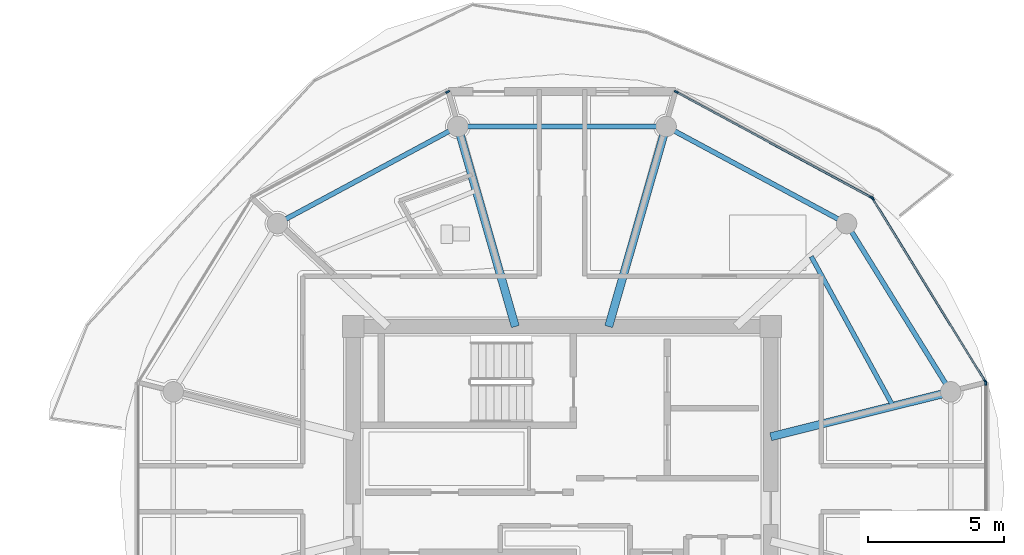
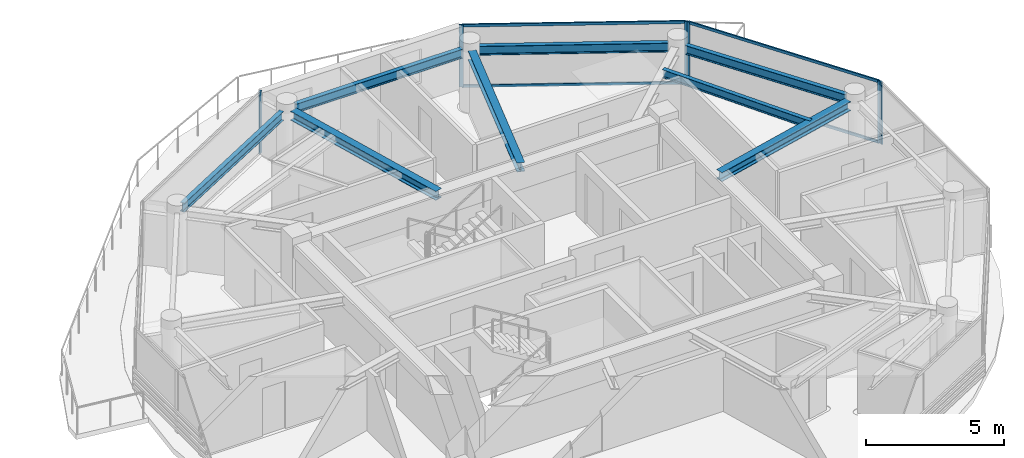
# One storey, part 7 of 21: 10 members, 8 beams, 4 elements without a shape of their own.
"""IFC4 building model written with IfcOpenShell, lengths in metres."""

from ifc_helpers import new_model, si_unit, direction, frame, origin, origin_2d, place, context, subcontext, project, spatial, rectangle, i_section, extrude, source, transform, mapped, material, layer, layer_set, material_profile, profile_set, type_object, type_shapes, element, aggregate, save


model = new_model("IFC4")

# Units and contexts
model_context = context("Model", 3, precision=1e-05, world=origin(), true_north=direction((0.0, 1.0)))
body_context = subcontext(model_context, "Body", "Model", "MODEL_VIEW")
ifc_project = project(units=[si_unit("LENGTHUNIT", "METRE"), si_unit("AREAUNIT", "SQUARE_METRE"), si_unit("VOLUMEUNIT", "CUBIC_METRE"), si_unit("PLANEANGLEUNIT", "RADIAN"), si_unit("MASSUNIT", "GRAM", prefix="KILO")], contexts=[model_context])

# Site, building, storey
site_placement = place(None, origin())
site = spatial("IfcSite", under=ifc_project, at=site_placement, CompositionType="ELEMENT")
building_placement = place(site_placement, origin())
building = spatial("IfcBuilding", under=site, at=building_placement, Name="Norrkilde Senior Care Towers", CompositionType="ELEMENT")
storey_placement = place(building_placement, frame((0.0, 0.0, 241.35009765625)))
storey = spatial("IfcBuildingStorey", under=building, at=storey_placement, Name="L75", CompositionType="ELEMENT", Elevation=241.35009765625)

# Beams
ifc_material_1 = material(Name="Steel S355", Category="steel")
ifc_material_profile_1 = material_profile(ifc_material_1, i_section(OverallWidth=0.179931640625, OverallDepth=0.39990234375, WebThickness=0.008544921875, FlangeThickness=0.013427734375, FilletRadius=0.02099609375, at=origin_2d()), Name="IPE 400")
ifc_profile_set_1 = profile_set([ifc_material_profile_1], Name="Steel S355")
beam_type_1 = type_object("IfcBeamType", Name="Perimeter Ring Spandrel Z4 IPE400", PredefinedType="SPANDREL", material=ifc_profile_set_1)
shared_shape_1 = source(origin(), body_context, "Body", "SweptSolid", [
    extrude(i_section(OverallWidth=0.179931640625, OverallDepth=0.39990234375, WebThickness=0.008544921875, FlangeThickness=0.013427734375, FilletRadius=0.02099609375, at=origin_2d()), origin(), (0.0, 0.0, 1.0), 6.58056640625),
])
beam_1_placement = place(storey_placement, frame((42.071044921875, 3.843505859375, 2.52978515625), z_axis=(-0.526529583789, 0.850156807533, 0.0), x_axis=(-0.850156807533, -0.526529583789, 0.0)))
element("IfcBeam", 1, at=beam_1_placement, inside=storey, type_object=beam_type_1, Name="L75 Drum E Perimeter Spandrel 01", PredefinedType="SPANDREL", context=body_context, shape_type="MappedRepresentation", body=[
    mapped(shared_shape_1, transform((0.0, 0.0, 0.0), x_axis=(1.0, 0.0, 0.0), y_axis=(0.0, 1.0, 0.0), z_axis=(0.0, 0.0, 1.0), scale=1.0)),
])
ifc_material_profile_2 = material_profile(ifc_material_1, i_section(OverallWidth=0.300048828125, OverallDepth=0.39990234375, WebThickness=0.013427734375, FlangeThickness=0.02392578125, FilletRadius=0.027099609375, at=origin_2d()), Name="HEB 400")
ifc_profile_set_2 = profile_set([ifc_material_profile_2], Name="Steel S355")
beam_type_2 = type_object("IfcBeamType", Name="Radial Floor Beam Z4 HEB400", PredefinedType="BEAM", material=ifc_profile_set_2)
shared_shape_2 = source(origin(), body_context, "Body", "SweptSolid", [
    extrude(i_section(OverallWidth=0.300048828125, OverallDepth=0.39990234375, WebThickness=0.013427734375, FlangeThickness=0.02392578125, FilletRadius=0.027099609375, at=origin_2d()), origin(), (0.0, 0.0, 1.0), 6.465087890625),
])
beam_2_placement = place(storey_placement, frame((35.64990234375, 1.910888671875, 2.52978515625), z_axis=(0.970195788563, 0.242322371758, 0.0), x_axis=(-0.242322371758, 0.970195788563, 0.0)))
element("IfcBeam", 2, at=beam_2_placement, inside=storey, type_object=beam_type_2, Name="L75 Drum E Radial Floor Beam 01", PredefinedType="BEAM", context=body_context, shape_type="MappedRepresentation", body=[
    mapped(shared_shape_2, transform((0.0, 0.0, 0.0), x_axis=(1.0, 0.0, 0.0), y_axis=(0.0, 1.0, 0.0), z_axis=(0.0, 0.0, 1.0), scale=1.0)),
])
shared_shape_3 = source(origin(), body_context, "Body", "SweptSolid", [
    extrude(i_section(OverallWidth=0.179931640625, OverallDepth=0.39990234375, WebThickness=0.008544921875, FlangeThickness=0.013427734375, FilletRadius=0.02099609375, at=origin_2d()), origin(), (0.0, 0.0, 1.0), 6.839111328125),
])
for number, where, z_axis, x_axis, name in (
    (3, (38.134765625, 9.881591796875, 2.52978515625), (-0.880563930732, 0.473927382511, 0.0), (-0.473927382511, -0.880563930732, 0.0), "L75 Drum E Perimeter Spandrel 02"),
    (4, (23.887451171875, 13.122802734375, 2.52978515625), (-0.880563930732, -0.473927382511, 0.0), (0.473927382511, -0.880563930732, 0.0), "L75 Drum E Perimeter Spandrel 04"),
):
    element("IfcBeam", number, at=place(storey_placement, frame(where, z_axis=z_axis, x_axis=x_axis)), inside=storey, type_object=beam_type_1, Name=name, PredefinedType="SPANDREL", context=body_context, shape_type="MappedRepresentation", body=[
        mapped(shared_shape_3, transform((0.0, 0.0, 0.0), x_axis=(1.0, 0.0, 0.0), y_axis=(0.0, 1.0, 0.0), z_axis=(0.0, 0.0, 1.0), scale=1.0)),
    ])
shared_shape_4 = source(origin(), body_context, "Body", "SweptSolid", [
    extrude(i_section(OverallWidth=0.179931640625, OverallDepth=0.39990234375, WebThickness=0.008544921875, FlangeThickness=0.013427734375, FilletRadius=0.02099609375, at=origin_2d()), origin(), (0.0, 0.0, 1.0), 6.96533203125),
])
type_shapes(beam_type_1, [shared_shape_1, shared_shape_3, shared_shape_4])
beam_3_placement = place(storey_placement, frame((31.482666015625, 13.281494140625, 2.52978515625), z_axis=(-1.0, 0.0, 0.0), x_axis=(0.0, -1.0, 0.0)))
element("IfcBeam", 5, at=beam_3_placement, inside=storey, type_object=beam_type_1, Name="L75 Drum E Perimeter Spandrel 03", PredefinedType="SPANDREL", context=body_context, shape_type="MappedRepresentation", body=[
    mapped(shared_shape_4, transform((0.0, 0.0, 0.0), x_axis=(1.0, 0.0, 0.0), y_axis=(0.0, 1.0, 0.0), z_axis=(0.0, 0.0, 1.0), scale=1.0)),
])
shared_shape_5 = source(origin(), body_context, "Body", "SweptSolid", [
    extrude(i_section(OverallWidth=0.300048828125, OverallDepth=0.39990234375, WebThickness=0.013427734375, FlangeThickness=0.02392578125, FilletRadius=0.027099609375, at=origin_2d()), origin(), (0.0, 0.0, 1.0), 7.29345703125),
])
type_shapes(beam_type_2, [shared_shape_2, shared_shape_5])
for number, where, z_axis, x_axis, name in (
    (6, (29.710205078125, 5.949951171875, 2.52978515625), (0.276263751906, 0.961081858836, 0.0), (-0.961081858836, 0.276263751906, 0.0), "L75 Drum E Radial Floor Beam 03"),
    (7, (26.289794921875, 5.949951171875, 2.52978515625), (-0.276263751906, 0.961081858836, 0.0), (-0.961081858836, -0.276263751906, 0.0), "L75 Drum E Radial Floor Beam 04"),
):
    element("IfcBeam", number, at=place(storey_placement, frame(where, z_axis=z_axis, x_axis=x_axis)), inside=storey, type_object=beam_type_2, Name=name, PredefinedType="BEAM", context=body_context, shape_type="MappedRepresentation", body=[
        mapped(shared_shape_5, transform((0.0, 0.0, 0.0), x_axis=(1.0, 0.0, 0.0), y_axis=(0.0, 1.0, 0.0), z_axis=(0.0, 0.0, 1.0), scale=1.0)),
    ])
ifc_material_profile_3 = material_profile(ifc_material_1, i_section(OverallWidth=0.169921875, OverallDepth=0.360107421875, WebThickness=0.008056640625, FlangeThickness=0.0126953125, FilletRadius=0.01806640625, at=origin_2d()), Name="IPE 360")
ifc_profile_set_3 = profile_set([ifc_material_profile_3], Name="Steel S355")
beam_type_3 = type_object("IfcBeamType", Name="Secondary Floor Joist IPE360", PredefinedType="JOIST", material=ifc_profile_set_3)
shared_shape_6 = source(origin(), body_context, "Body", "SweptSolid", [
    extrude(i_section(OverallWidth=0.169921875, OverallDepth=0.360107421875, WebThickness=0.008056640625, FlangeThickness=0.0126953125, FilletRadius=0.01806640625, at=origin_2d()), origin(), (0.0, 0.0, 1.0), 6.25146484375),
])
type_shapes(beam_type_3, [shared_shape_6])
beam_4_placement = place(storey_placement, frame((40.13623046875, 3.031494140625, 2.5498046875), z_axis=(-0.480115752653, 0.877205143655, 0.0), x_axis=(-0.877205143655, -0.480115752653, 0.0)))
element("IfcBeam", 8, at=beam_4_placement, inside=storey, type_object=beam_type_3, Name="L75 Drum E Secondary Floor Joist 1", PredefinedType="JOIST", context=body_context, shape_type="MappedRepresentation", body=[
    mapped(shared_shape_6, transform((0.0, 0.0, 0.0), x_axis=(1.0, 0.0, 0.0), y_axis=(0.0, 1.0, 0.0), z_axis=(0.0, 0.0, 1.0), scale=1.0)),
])

# Curtain wall, members
ifc_material_2 = material(Name="Triple Low-E Insulated Glazing", Category="glass")
ifc_layer = layer(ifc_material_2, 0.18505859375)
ifc_layer_set = layer_set([ifc_layer], Name="Triple Low-E Insulated Glazing")
curtain_wall_type = type_object("IfcCurtainWallType", Name="CW6 Zone 4 Crown Pavilion Curtain Wall", PredefinedType="NOTDEFINED", material=ifc_layer_set)
curtain_wall_1_placement = place(storey_placement, origin())
curtain_wall_1 = element("IfcCurtainWall", 9, at=curtain_wall_1_placement, inside=storey, type_object=curtain_wall_type, Name="L75 Drum E Curtain Wall 00", PredefinedType="NOTDEFINED")
ifc_material_3 = material(Name="Anodised Aluminium", Category="aluminium")
ifc_material_profile_4 = material_profile(ifc_material_3, rectangle(XDim=0.06494140625, YDim=0.14990234375, at=origin_2d()), Name="ALU MULL 65x150")
ifc_profile_set_4 = profile_set([ifc_material_profile_4], Name="Anodised Aluminium")
member_type_1 = type_object("IfcMemberType", Name="Curtain Wall Mullion Z3-Z4 65x150", PredefinedType="MULLION", material=ifc_profile_set_4)
shared_shape_7 = source(origin(), body_context, "Body", "SweptSolid", [
    extrude(rectangle(XDim=0.06494140625, YDim=0.14990234375, at=origin_2d()), origin(), (0.0, 0.0, 1.0), 2.72998046875),
])
type_shapes(member_type_1, [shared_shape_7])
member_1_placement = place(storey_placement, frame((39.38720703125, 10.635498046875, 0.0), z_axis=(0.0, 0.0, 1.0), x_axis=(0.851562727283, 0.524252726748, 0.0)))
member_1 = element("IfcMember", 10, at=member_1_placement, type_object=member_type_1, Name="CW-6 mullion 1", PredefinedType="MULLION", context=body_context, shape_type="MappedRepresentation", body=[
    mapped(shared_shape_7, transform((0.0, 0.0, 0.0), x_axis=(1.0, 0.0, 0.0), y_axis=(0.0, 1.0, 0.0), z_axis=(0.0, 0.0, 1.0), scale=1.0)),
])
member_2_placement = place(storey_placement, frame((43.51513671875, 3.9306640625, 0.0), z_axis=(0.0, 0.0, 1.0), x_axis=(0.851562727283, 0.524252726748, 0.0)))
member_2 = element("IfcMember", 11, at=member_2_placement, type_object=member_type_1, Name="CW-6 mullion 2", PredefinedType="MULLION", context=body_context, shape_type="MappedRepresentation", body=[
    mapped(shared_shape_7, transform((0.0, 0.0, 0.0), x_axis=(1.0, 0.0, 0.0), y_axis=(0.0, 1.0, 0.0), z_axis=(0.0, 0.0, 1.0), scale=1.0)),
])

curtain_wall_2_placement = place(storey_placement, origin())
curtain_wall_2 = element("IfcCurtainWall", 12, at=curtain_wall_2_placement, inside=storey, type_object=curtain_wall_type, Name="L75 Drum E Curtain Wall 01", PredefinedType="NOTDEFINED")
member_3_placement = place(storey_placement, frame((32.1904296875, 14.55078125, 0.0), z_axis=(0.0, 0.0, 1.0), x_axis=(0.476132676136, 0.879373455772, 0.0)))
member_3 = element("IfcMember", 13, at=member_3_placement, type_object=member_type_1, Name="CW-6 mullion 1", PredefinedType="MULLION", context=body_context, shape_type="MappedRepresentation", body=[
    mapped(shared_shape_7, transform((0.0, 0.0, 0.0), x_axis=(1.0, 0.0, 0.0), y_axis=(0.0, 1.0, 0.0), z_axis=(0.0, 0.0, 1.0), scale=1.0)),
])
member_4_placement = place(storey_placement, frame((39.341796875, 10.6787109375, 0.0), z_axis=(0.0, 0.0, 1.0), x_axis=(0.476132676136, 0.879373455772, 0.0)))
member_4 = element("IfcMember", 14, at=member_4_placement, type_object=member_type_1, Name="CW-6 mullion 2", PredefinedType="MULLION", context=body_context, shape_type="MappedRepresentation", body=[
    mapped(shared_shape_7, transform((0.0, 0.0, 0.0), x_axis=(1.0, 0.0, 0.0), y_axis=(0.0, 1.0, 0.0), z_axis=(0.0, 0.0, 1.0), scale=1.0)),
])

# Curtain wall, member
curtain_wall_3_placement = place(storey_placement, origin())
curtain_wall_3 = element("IfcCurtainWall", 15, at=curtain_wall_3_placement, inside=storey, type_object=curtain_wall_type, Name="L75 Drum E Curtain Wall 03", PredefinedType="NOTDEFINED")
member_5_placement = place(storey_placement, frame((23.8095703125, 14.55078125, 0.0), z_axis=(0.0, 0.0, 1.0), x_axis=(-0.476132676136, 0.879373455772, 0.0)))
member_5 = element("IfcMember", 16, at=member_5_placement, type_object=member_type_1, Name="CW-6 mullion 2", PredefinedType="MULLION", context=body_context, shape_type="MappedRepresentation", body=[
    mapped(shared_shape_7, transform((0.0, 0.0, 0.0), x_axis=(1.0, 0.0, 0.0), y_axis=(0.0, 1.0, 0.0), z_axis=(0.0, 0.0, 1.0), scale=1.0)),
])
aggregate(curtain_wall_3, [member_5])

curtain_wall_4_placement = place(storey_placement, origin())
curtain_wall_4 = element("IfcCurtainWall", 17, at=curtain_wall_4_placement, inside=storey, type_object=curtain_wall_type, Name="L75 Drum E Curtain Wall 11", PredefinedType="NOTDEFINED")
member_6_placement = place(storey_placement, frame((43.531982421875, 3.87060546875, 0.0), z_axis=(0.0, 0.0, 1.0), x_axis=(1.0, 0.0, 0.0)))
member_6 = element("IfcMember", 18, at=member_6_placement, type_object=member_type_1, Name="CW-6 mullion 1", PredefinedType="MULLION", context=body_context, shape_type="MappedRepresentation", body=[
    mapped(shared_shape_7, transform((0.0, 0.0, 0.0), x_axis=(1.0, 0.0, 0.0), y_axis=(0.0, 1.0, 0.0), z_axis=(0.0, 0.0, 1.0), scale=1.0)),
])
aggregate(curtain_wall_4, [member_6])

# Member
ifc_material_profile_5 = material_profile(ifc_material_3, rectangle(XDim=0.06005859375, YDim=0.1201171875, at=origin_2d()), Name="ALU TRAN 60x120")
ifc_profile_set_5 = profile_set([ifc_material_profile_5], Name="Anodised Aluminium")
member_type_2 = type_object("IfcMemberType", Name="Curtain Wall Transom Typical 60x120", PredefinedType="USERDEFINED", material=ifc_profile_set_5)
shared_shape_8 = source(origin(), body_context, "Body", "SweptSolid", [
    extrude(rectangle(XDim=0.06005859375, YDim=0.1201171875, at=origin_2d()), origin(), (0.0, 0.0, 1.0), 7.808837890625),
])
member_7_placement = place(storey_placement, frame((39.404296875, 10.60791015625, 0.02978515625), z_axis=(0.524250924101, -0.851563837055, 0.0), x_axis=(0.851563837055, 0.524250924101, 0.0)))
member_7 = element("IfcMember", 19, at=member_7_placement, type_object=member_type_2, Name="CW-6 transom 1.1", ObjectType="TRANSOM", PredefinedType="USERDEFINED", context=body_context, shape_type="MappedRepresentation", body=[
    mapped(shared_shape_8, transform((0.0, 0.0, 0.0), x_axis=(1.0, 0.0, 0.0), y_axis=(0.0, 1.0, 0.0), z_axis=(0.0, 0.0, 1.0), scale=1.0)),
])

member_8_placement = place(storey_placement, frame((39.404296875, 10.60791015625, 2.699951171875), z_axis=(0.524250924101, -0.851563837055, 0.0), x_axis=(0.851563837055, 0.524250924101, 0.0)))
member_8 = element("IfcMember", 20, at=member_8_placement, type_object=member_type_2, Name="CW-6 transom 1.2", ObjectType="TRANSOM", PredefinedType="USERDEFINED", context=body_context, shape_type="MappedRepresentation", body=[
    mapped(shared_shape_8, transform((0.0, 0.0, 0.0), x_axis=(1.0, 0.0, 0.0), y_axis=(0.0, 1.0, 0.0), z_axis=(0.0, 0.0, 1.0), scale=1.0)),
])

aggregate(curtain_wall_1, [member_1, member_2, member_7, member_8])

shared_shape_9 = source(origin(), body_context, "Body", "SweptSolid", [
    extrude(rectangle(XDim=0.06005859375, YDim=0.1201171875, at=origin_2d()), origin(), (0.0, 0.0, 1.0), 8.0673828125),
])
type_shapes(member_type_2, [shared_shape_8, shared_shape_9])
member_9_placement = place(storey_placement, frame((32.218994140625, 14.53515625, 0.02978515625), z_axis=(0.87937750072, -0.476125205411, 0.0), x_axis=(0.476125205411, 0.87937750072, 0.0)))
member_9 = element("IfcMember", 21, at=member_9_placement, type_object=member_type_2, Name="CW-6 transom 1.1", ObjectType="TRANSOM", PredefinedType="USERDEFINED", context=body_context, shape_type="MappedRepresentation", body=[
    mapped(shared_shape_9, transform((0.0, 0.0, 0.0), x_axis=(1.0, 0.0, 0.0), y_axis=(0.0, 1.0, 0.0), z_axis=(0.0, 0.0, 1.0), scale=1.0)),
])

member_10_placement = place(storey_placement, frame((32.218994140625, 14.53515625, 2.699951171875), z_axis=(0.87937750072, -0.476125205411, 0.0), x_axis=(0.476125205411, 0.87937750072, 0.0)))
member_10 = element("IfcMember", 22, at=member_10_placement, type_object=member_type_2, Name="CW-6 transom 1.2", ObjectType="TRANSOM", PredefinedType="USERDEFINED", context=body_context, shape_type="MappedRepresentation", body=[
    mapped(shared_shape_9, transform((0.0, 0.0, 0.0), x_axis=(1.0, 0.0, 0.0), y_axis=(0.0, 1.0, 0.0), z_axis=(0.0, 0.0, 1.0), scale=1.0)),
])

aggregate(curtain_wall_2, [member_3, member_4, member_9, member_10])

save(model, "model.ifc")
